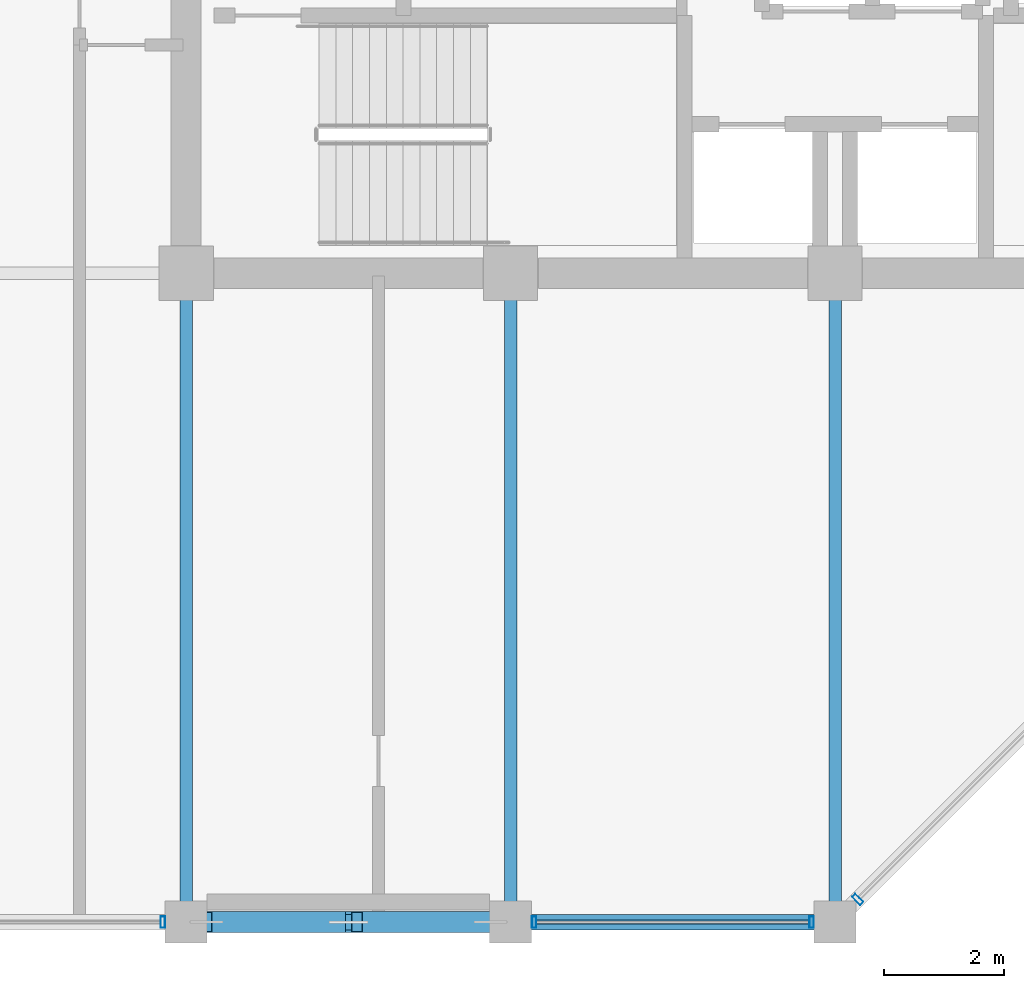
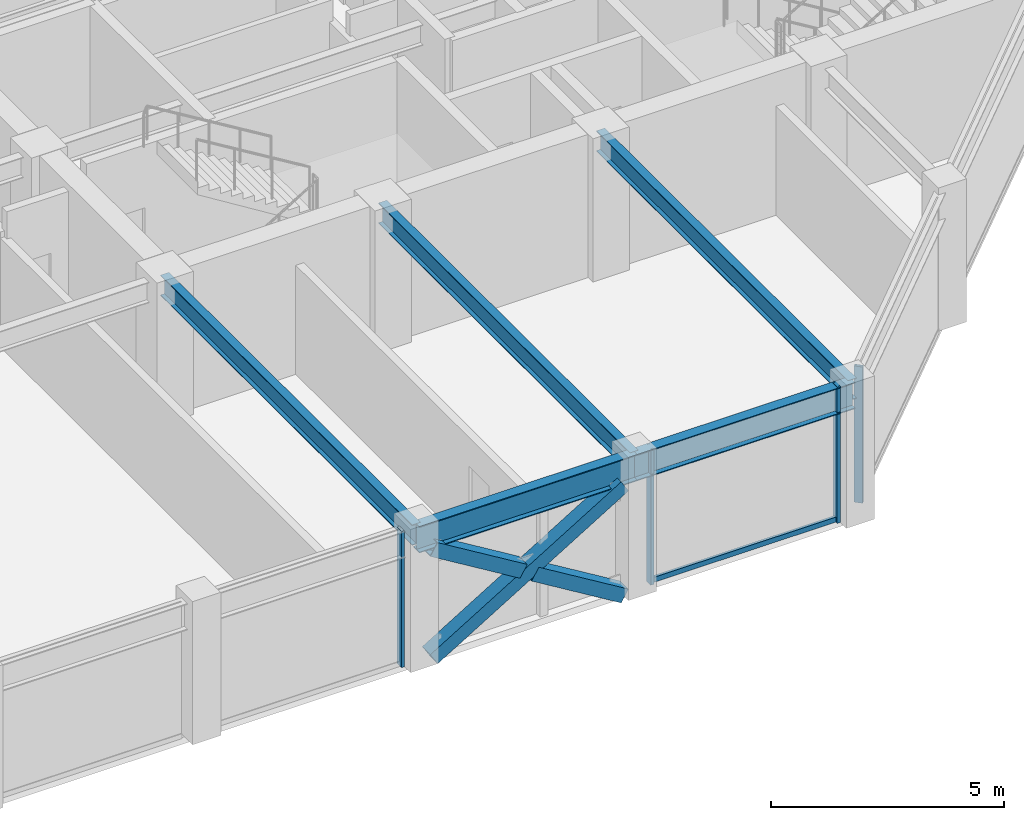
# One storey, part 4 of 31: 8 members, 5 beams, 3 elements without a shape of their own.
"""IFC4 building model written with IfcOpenShell, lengths in metres."""

from ifc_helpers import new_model, si_unit, direction, frame, origin, origin_2d, place, context, subcontext, project, spatial, hollow_rectangle, i_section, extrude, material, layer, layer_set, material_profile, profile_set, type_object, element, aggregate, save


model = new_model("IFC4")

# Units and contexts
model_context = context("Model", 3, precision=1e-05, world=origin(), true_north=direction((0.0, 1.0)))
body_context = subcontext(model_context, "Body", "Model", "MODEL_VIEW")
ifc_project = project(units=[si_unit("LENGTHUNIT", "METRE"), si_unit("AREAUNIT", "SQUARE_METRE"), si_unit("VOLUMEUNIT", "CUBIC_METRE"), si_unit("PLANEANGLEUNIT", "RADIAN"), si_unit("MASSUNIT", "GRAM", prefix="KILO")], contexts=[model_context])

# Site, building, storey
site_placement = place(None, origin())
site = spatial("IfcSite", under=ifc_project, at=site_placement, CompositionType="ELEMENT")
building_placement = place(site_placement, origin())
building = spatial("IfcBuilding", under=site, at=building_placement, Name="Surkhivell Harbour Commons", CompositionType="ELEMENT")
storey_placement = place(building_placement, frame((0.0, 0.0, 315.0)))
storey = spatial("IfcBuildingStorey", under=building, at=storey_placement, Name="L82", CompositionType="ELEMENT", Elevation=315.0)

# Beams
ifc_material_1 = material(Name="Steel S355", Category="steel")
ifc_material_profile_1 = material_profile(ifc_material_1, i_section(OverallWidth=0.2099609375, OverallDepth=0.537109375, WebThickness=0.0107421875, FlangeThickness=0.017333984375, at=origin_2d()), Name="UB533x210x101")
ifc_profile_set_1 = profile_set([ifc_material_profile_1], Name="Steel S355")
beam_type_1 = type_object("IfcBeamType", Name="BM-GRD-533B", PredefinedType="BEAM", material=ifc_profile_set_1)
for number, where, z_axis, x_axis, name in (
    (1, (-10.800048828125, -21.60009765625, 3.301513671875), (0.0, 1.0, 0.0), (-1.0, 0.0, 0.0), "L82 Floor Girder (-10.8,-21.6)"),
    (2, (-5.39990234375, -21.60009765625, 3.301513671875), (0.0, 1.0, 0.0), (-1.0, 0.0, 0.0), "L82 Floor Girder (-5.4,-21.6)"),
    (3, (0.0, -21.60009765625, 3.301513671875), (0.0, 1.0, 0.0), (-1.0, 0.0, 0.0), "L82 Floor Girder (0.0,-21.6)"),
):
    element("IfcBeam", number, at=place(storey_placement, frame(where, z_axis=z_axis, x_axis=x_axis)), inside=storey, type_object=beam_type_1, Name=name, PredefinedType="BEAM", context=body_context, shape_type="SweptSolid", body=[
        extrude(i_section(OverallWidth=0.2099609375, OverallDepth=0.537109375, WebThickness=0.0107421875, FlangeThickness=0.017333984375, at=origin_2d()), origin(), (0.0, 0.0, 1.0), 10.800048828125),
    ])
ifc_material_profile_2 = material_profile(ifc_material_1, i_section(OverallWidth=0.256103515625, OverallDepth=0.693115234375, WebThickness=0.014404296875, FlangeThickness=0.023681640625, at=origin_2d()), Name="UB686x254x170")
ifc_profile_set_2 = profile_set([ifc_material_profile_2], Name="Steel S355")
beam_type_2 = type_object("IfcBeamType", Name="BM-SPN-686", PredefinedType="SPANDREL", material=ifc_profile_set_2)
beam_1_placement = place(storey_placement, frame((-10.800048828125, -21.60009765625, 3.223388671875), z_axis=(1.0, 0.0, 0.0), x_axis=(0.0, 1.0, 0.0)))
element("IfcBeam", 4, at=beam_1_placement, inside=storey, type_object=beam_type_2, Name="L82 Tube Spandrel (-10.8,-21.6)", PredefinedType="SPANDREL", context=body_context, shape_type="SweptSolid", body=[
    extrude(i_section(OverallWidth=0.256103515625, OverallDepth=0.693115234375, WebThickness=0.014404296875, FlangeThickness=0.023681640625, at=origin_2d()), origin(), (0.0, 0.0, 1.0), 5.400146484375),
])
beam_2_placement = place(storey_placement, frame((-5.39990234375, -21.60009765625, 3.223388671875), z_axis=(1.0, 0.0, 0.0), x_axis=(0.0, 1.0, 0.0)))
element("IfcBeam", 5, at=beam_2_placement, inside=storey, type_object=beam_type_2, Name="L82 Tube Spandrel (-5.4,-21.6)", PredefinedType="SPANDREL", context=body_context, shape_type="SweptSolid", body=[
    extrude(i_section(OverallWidth=0.256103515625, OverallDepth=0.693115234375, WebThickness=0.014404296875, FlangeThickness=0.023681640625, at=origin_2d()), origin(), (0.0, 0.0, 1.0), 5.39990234375),
])

# Curtain wall, member
ifc_material_2 = material(Name="Anodised pale-metal aluminium and insulated glazing", Category="aluminium")
ifc_layer = layer(ifc_material_2, 0.175048828125)
ifc_layer_set = layer_set([ifc_layer], Name="Anodised pale-metal aluminium and insulated glazing")
curtain_wall_type = type_object("IfcCurtainWallType", Name="CW-SYS-Z4", PredefinedType="NOTDEFINED", material=ifc_layer_set)
curtain_wall_1_placement = place(storey_placement, origin())
curtain_wall_1 = element("IfcCurtainWall", 6, at=curtain_wall_1_placement, inside=storey, type_object=curtain_wall_type, Name="L82 Curtain Wall CW-L82-E00S1", PredefinedType="NOTDEFINED")
ifc_material_3 = material(Name="Anodised pale-metal aluminium alloy 6063-T6", Category="aluminium")
ifc_material_profile_3 = material_profile(ifc_material_3, hollow_rectangle(XDim=0.074951171875, YDim=0.18994140625, WallThickness=0.00390625, at=origin_2d()), Name="ALU-MULL-75x190")
ifc_profile_set_3 = profile_set([ifc_material_profile_3], Name="Anodised pale-metal aluminium alloy 6063-T6")
member_type_1 = type_object("IfcMemberType", Name="CWM-190", PredefinedType="MULLION", material=ifc_profile_set_3)
member_1_placement = place(storey_placement, frame((-11.189453125, -21.60009765625, 0.0), z_axis=(0.0, 0.0, 1.0), x_axis=(1.0, 0.0, 0.0)))
member_1 = element("IfcMember", 7, at=member_1_placement, type_object=member_type_1, Name="CW-Z4 mullion 3", PredefinedType="MULLION", context=body_context, shape_type="SweptSolid", body=[
    extrude(hollow_rectangle(XDim=0.074951171875, YDim=0.18994140625, WallThickness=0.00390625, at=origin_2d()), origin(), (0.0, 0.0, 1.0), 3.570068359375),
])
aggregate(curtain_wall_1, [member_1])

# Curtain wall, members
curtain_wall_2_placement = place(storey_placement, origin())
curtain_wall_2 = element("IfcCurtainWall", 8, at=curtain_wall_2_placement, inside=storey, type_object=curtain_wall_type, Name="L82 Curtain Wall CW-L82-E00S2", PredefinedType="NOTDEFINED")
member_2_placement = place(storey_placement, frame((-5.010498046875, -21.60009765625, 0.0), z_axis=(0.0, 0.0, 1.0), x_axis=(1.0, 0.0, 0.0)))
member_2 = element("IfcMember", 9, at=member_2_placement, type_object=member_type_1, Name="CW-Z4 mullion 1", PredefinedType="MULLION", context=body_context, shape_type="SweptSolid", body=[
    extrude(hollow_rectangle(XDim=0.074951171875, YDim=0.18994140625, WallThickness=0.00390625, at=origin_2d()), origin(), (0.0, 0.0, 1.0), 3.570068359375),
])
member_3_placement = place(storey_placement, frame((-0.389404296875, -21.60009765625, 0.0), z_axis=(0.0, 0.0, 1.0), x_axis=(1.0, 0.0, 0.0)))
member_3 = element("IfcMember", 10, at=member_3_placement, type_object=member_type_1, Name="CW-Z4 mullion 2", PredefinedType="MULLION", context=body_context, shape_type="SweptSolid", body=[
    extrude(hollow_rectangle(XDim=0.074951171875, YDim=0.18994140625, WallThickness=0.00390625, at=origin_2d()), origin(), (0.0, 0.0, 1.0), 3.570068359375),
])

# Curtain wall, member
curtain_wall_3_placement = place(storey_placement, origin())
curtain_wall_3 = element("IfcCurtainWall", 11, at=curtain_wall_3_placement, inside=storey, type_object=curtain_wall_type, Name="L82 Curtain Wall CW-L82-E01", PredefinedType="NOTDEFINED")
member_4_placement = place(storey_placement, frame((0.378173828125, -21.221923828125, 0.0), z_axis=(0.0, 0.0, 1.0), x_axis=(0.707106781187, 0.707106781187, 0.0)))
member_4 = element("IfcMember", 12, at=member_4_placement, type_object=member_type_1, Name="CW-Z4 mullion 1", PredefinedType="MULLION", context=body_context, shape_type="SweptSolid", body=[
    extrude(hollow_rectangle(XDim=0.074951171875, YDim=0.18994140625, WallThickness=0.00390625, at=origin_2d()), origin(), (0.0, 0.0, 1.0), 3.570068359375),
])
aggregate(curtain_wall_3, [member_4])

# Member
ifc_material_4 = material(Name="Champagne anodised aluminium alloy 6063-T6", Category="aluminium")
ifc_material_profile_4 = material_profile(ifc_material_4, hollow_rectangle(XDim=0.070068359375, YDim=0.1298828125, WallThickness=0.00341796875, at=origin_2d()), Name="ALU-TRAN-70x130")
ifc_profile_set_4 = profile_set([ifc_material_profile_4], Name="Champagne anodised aluminium alloy 6063-T6")
member_type_2 = type_object("IfcMemberType", Name="CWT-130", PredefinedType="USERDEFINED", material=ifc_profile_set_4)
member_5_placement = place(storey_placement, frame((-4.972900390625, -21.60009765625, 0.06494140625), z_axis=(1.0, 0.0, 0.0), x_axis=(0.0, 1.0, 0.0)))
member_5 = element("IfcMember", 13, at=member_5_placement, type_object=member_type_2, Name="CW-Z4 transom 1.1", ObjectType="TRANSOM", PredefinedType="USERDEFINED", context=body_context, shape_type="SweptSolid", body=[
    extrude(hollow_rectangle(XDim=0.070068359375, YDim=0.1298828125, WallThickness=0.00341796875, at=origin_2d()), origin(), (0.0, 0.0, 1.0), 4.5458984375),
])

aggregate(curtain_wall_2, [member_2, member_3, member_5])

# Members
ifc_material_profile_5 = material_profile(ifc_material_1, hollow_rectangle(XDim=0.35009765625, YDim=0.35009765625, WallThickness=0.01611328125, at=origin_2d()), Name="SHS350x350x16")
ifc_profile_set_5 = profile_set([ifc_material_profile_5], Name="Steel S355")
member_type_3 = type_object("IfcMemberType", Name="MEM-BRC-SHS350", PredefinedType="BRACE", material=ifc_profile_set_5)
member_6_placement = place(storey_placement, frame((-10.465087890625, -21.60009765625, 0.008056640625), z_axis=(0.854685454322, 0.0, 0.519146197299), x_axis=(0.0, 1.0, 0.0)))
element("IfcMember", 14, at=member_6_placement, inside=storey, type_object=member_type_3, Name="L82 Perimeter Mega-Brace MB- 07", PredefinedType="BRACE", context=body_context, shape_type="SweptSolid", body=[
    extrude(hollow_rectangle(XDim=0.35009765625, YDim=0.35009765625, WallThickness=0.01611328125, at=origin_2d()), origin(), (0.0, 0.0, 1.0), 5.5341796875),
])
member_7_placement = place(storey_placement, frame((-5.735107421875, -21.60009765625, 0.008056640625), z_axis=(-0.854653538862, 0.0, 0.519198737007), x_axis=(0.0, -1.0, 0.0)))
element("IfcMember", 15, at=member_7_placement, inside=storey, type_object=member_type_3, Name="L82 Perimeter Mega-Brace MB- 08", PredefinedType="BRACE", context=body_context, shape_type="SweptSolid", body=[
    extrude(hollow_rectangle(XDim=0.35009765625, YDim=0.35009765625, WallThickness=0.01611328125, at=origin_2d()), origin(), (0.0, 0.0, 1.0), 2.598876953125),
])
member_8_placement = place(storey_placement, frame((-8.24365234375, -21.60009765625, 1.53173828125), z_axis=(-0.854678858595, 0.0, 0.51915705588), x_axis=(0.0, -1.0, 0.0)))
element("IfcMember", 16, at=member_8_placement, inside=storey, type_object=member_type_3, Name="L82 Perimeter Mega-Brace MB- 09", PredefinedType="BRACE", context=body_context, shape_type="SweptSolid", body=[
    extrude(hollow_rectangle(XDim=0.35009765625, YDim=0.35009765625, WallThickness=0.01611328125, at=origin_2d()), origin(), (0.0, 0.0, 1.0), 2.59912109375),
])

save(model, "model.ifc")
